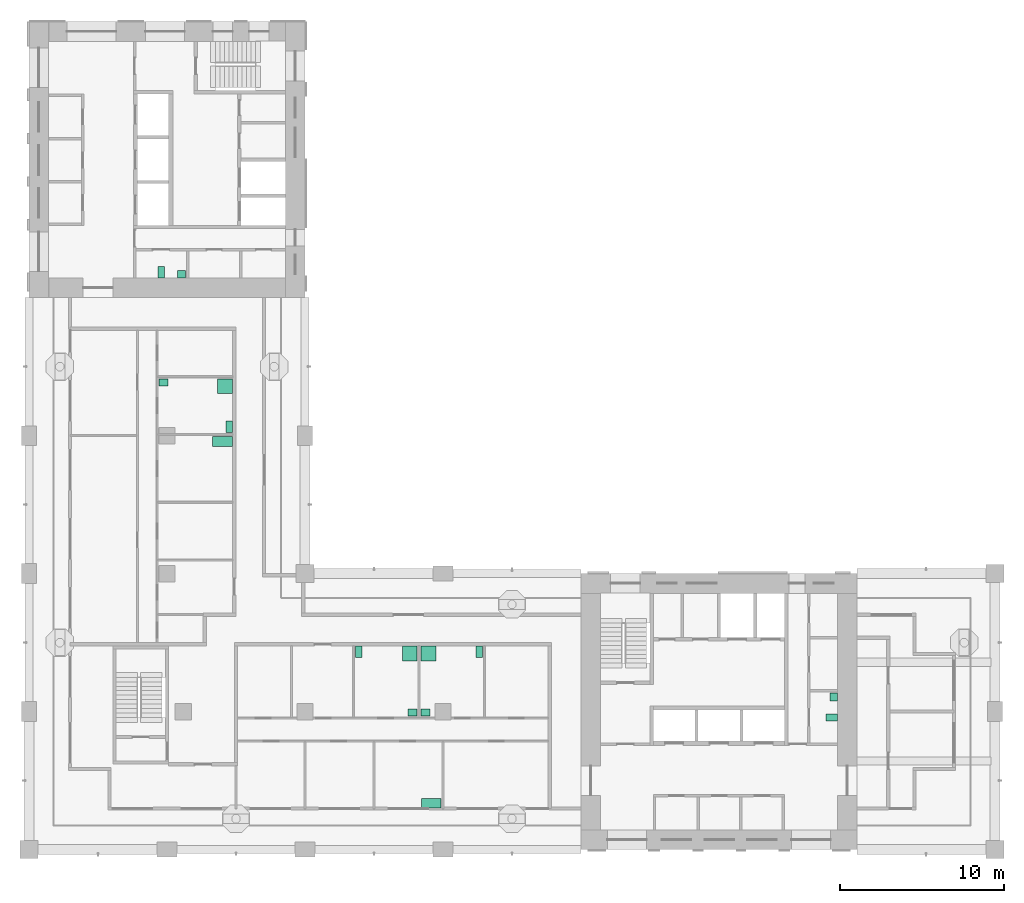
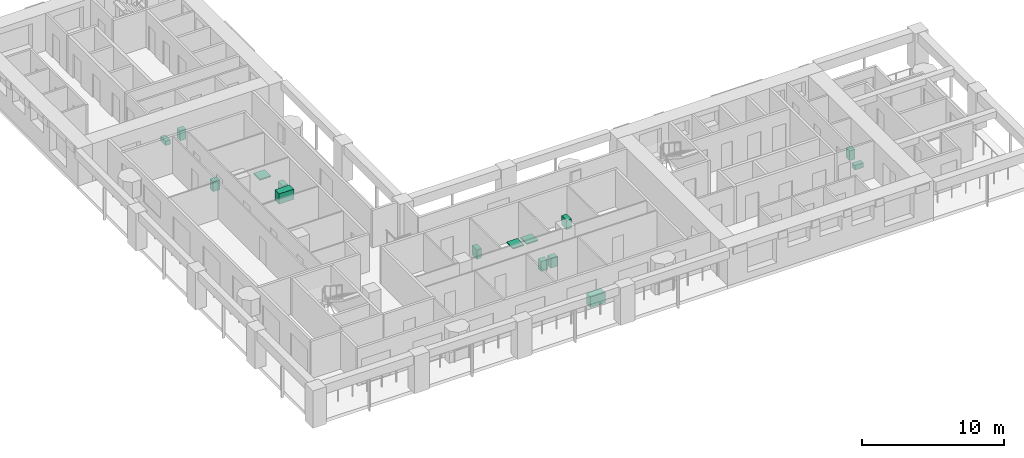
# One storey, part 11 of 13: 15 sanitary terminals.
"""IFC4 building model written with IfcOpenShell, lengths in metres."""

from ifc_helpers import new_model, si_unit, direction, frame, origin, origin_2d, place, context, subcontext, project, spatial, rectangle, extrude, material, element, save


model = new_model("IFC4")

# Units and contexts
model_context = context("Model", 3, precision=1e-05, world=origin(), true_north=direction((0.0, 1.0)))
body_context = subcontext(model_context, "Body", "Model", "MODEL_VIEW")
ifc_project = project(units=[si_unit("LENGTHUNIT", "METRE"), si_unit("AREAUNIT", "SQUARE_METRE"), si_unit("VOLUMEUNIT", "CUBIC_METRE"), si_unit("PLANEANGLEUNIT", "RADIAN"), si_unit("MASSUNIT", "GRAM", prefix="KILO")], contexts=[model_context])

# Site, building, storey
site_placement = place(None, origin())
site = spatial("IfcSite", under=ifc_project, at=site_placement, CompositionType="ELEMENT")
building_placement = place(site_placement, origin())
building = spatial("IfcBuilding", under=site, at=building_placement, Name="Vermilion Gate Residences", CompositionType="ELEMENT")
storey_placement = place(building_placement, frame((0.0, 0.0, 193.199951171875)))
storey = spatial("IfcBuildingStorey", under=building, at=storey_placement, Name="L50", CompositionType="ELEMENT", Elevation=193.199951171875)

# Sanitary terminals
ifc_material_1 = material(Name="Vitreous china")
sanitary_terminal_1_placement = place(storey_placement, frame((57.25, 16.43994140625, 0.0), z_axis=(0.0, 0.0, 1.0), x_axis=(1.0, 0.0, 0.0)))
element("IfcSanitaryTerminal", 1, at=sanitary_terminal_1_placement, inside=storey, material=ifc_material_1, Name="Toilet pan A50", PredefinedType="TOILETPAN", context=body_context, shape_type="SweptSolid", body=[
    extrude(rectangle(XDim=0.699951171875, YDim=0.39990234375, at=origin_2d()), origin(), (0.0, 0.0, 1.0), 0.39990234375),
])
sanitary_terminal_2_placement = place(storey_placement, frame((57.375, 17.679931640625, 0.0), z_axis=(0.0, 0.0, 1.0), x_axis=(1.0, 0.0, 0.0)))
element("IfcSanitaryTerminal", 2, at=sanitary_terminal_2_placement, inside=storey, material=ifc_material_1, Name="Washbasin A50", PredefinedType="WASHHANDBASIN", context=body_context, shape_type="SweptSolid", body=[
    extrude(rectangle(XDim=0.449951171875, YDim=0.5, at=origin_2d()), origin(), (0.0, 0.0, 1.0), 0.85009765625),
])
sanitary_terminal_3_placement = place(storey_placement, frame((16.43994140625, 43.550048828125, 0.0), z_axis=(0.0, 0.0, 1.0), x_axis=(1.0, 0.0, 0.0)))
element("IfcSanitaryTerminal", 3, at=sanitary_terminal_3_placement, inside=storey, material=ifc_material_1, Name="Toilet pan B50", PredefinedType="TOILETPAN", context=body_context, shape_type="SweptSolid", body=[
    extrude(rectangle(XDim=0.39990234375, YDim=0.699951171875, at=origin_2d()), origin(), (0.0, 0.0, 1.0), 0.39990234375),
])
sanitary_terminal_4_placement = place(storey_placement, frame((17.679931640625, 43.425048828125, 0.0), z_axis=(0.0, 0.0, 1.0), x_axis=(1.0, 0.0, 0.0)))
element("IfcSanitaryTerminal", 4, at=sanitary_terminal_4_placement, inside=storey, material=ifc_material_1, Name="Washbasin B50", PredefinedType="WASHHANDBASIN", context=body_context, shape_type="SweptSolid", body=[
    extrude(rectangle(XDim=0.5, YDim=0.449951171875, at=origin_2d()), origin(), (0.0, 0.0, 1.0), 0.85009765625),
])
ifc_material_2 = material(Name="Stainless steel", Category="steel")
sanitary_terminal_5_placement = place(storey_placement, frame((32.8798828125, 11.219970703125, 0.0), z_axis=(0.0, 0.0, 1.0), x_axis=(1.0, 0.0, 0.0)))
element("IfcSanitaryTerminal", 5, at=sanitary_terminal_5_placement, inside=storey, material=ifc_material_2, Name="Kitchen sink", PredefinedType="SINK", context=body_context, shape_type="SweptSolid", body=[
    extrude(rectangle(XDim=1.199951171875, YDim=0.60009765625, at=origin_2d()), origin(), (0.0, 0.0, 1.0), 0.89990234375),
])
sanitary_terminal_6_placement = place(storey_placement, frame((31.570068359375, 20.330078125, 0.0), z_axis=(0.0, 0.0, 1.0), x_axis=(1.0, 0.0, 0.0)))
element("IfcSanitaryTerminal", 6, at=sanitary_terminal_6_placement, inside=storey, material=ifc_material_1, Name="Shower tray", PredefinedType="SHOWER", context=body_context, shape_type="SweptSolid", body=[
    extrude(rectangle(XDim=0.89990234375, YDim=0.89990234375, at=origin_2d()), origin(), (0.0, 0.0, 1.0), 0.10009765625),
])
sanitary_terminal_7_placement = place(storey_placement, frame((28.47998046875, 20.429931640625, 0.0), z_axis=(0.0, 0.0, 1.0), x_axis=(1.0, 0.0, 0.0)))
element("IfcSanitaryTerminal", 7, at=sanitary_terminal_7_placement, inside=storey, material=ifc_material_1, Name="Toilet", PredefinedType="TOILETPAN", context=body_context, shape_type="SweptSolid", body=[
    extrude(rectangle(XDim=0.39990234375, YDim=0.699951171875, at=origin_2d()), origin(), (0.0, 0.0, 1.0), 0.800048828125),
])
sanitary_terminal_8_placement = place(storey_placement, frame((31.7451171875, 16.7451171875, 0.0), z_axis=(0.0, 0.0, 1.0), x_axis=(1.0, 0.0, 0.0)))
element("IfcSanitaryTerminal", 8, at=sanitary_terminal_8_placement, inside=storey, material=ifc_material_1, Name="Wash basin", PredefinedType="WASHHANDBASIN", context=body_context, shape_type="SweptSolid", body=[
    extrude(rectangle(XDim=0.550048828125, YDim=0.449951171875, at=origin_2d()), origin(), (0.0, 0.0, 1.0), 0.85009765625),
])
sanitary_terminal_9_placement = place(storey_placement, frame((32.7099609375, 20.330078125, 0.0), z_axis=(0.0, 0.0, 1.0), x_axis=(1.0, 0.0, 0.0)))
element("IfcSanitaryTerminal", 9, at=sanitary_terminal_9_placement, inside=storey, material=ifc_material_1, Name="Shower tray", PredefinedType="SHOWER", context=body_context, shape_type="SweptSolid", body=[
    extrude(rectangle(XDim=0.89990234375, YDim=0.89990234375, at=origin_2d()), origin(), (0.0, 0.0, 1.0), 0.10009765625),
])
sanitary_terminal_10_placement = place(storey_placement, frame((35.800048828125, 20.429931640625, 0.0), z_axis=(0.0, 0.0, 1.0), x_axis=(1.0, 0.0, 0.0)))
element("IfcSanitaryTerminal", 10, at=sanitary_terminal_10_placement, inside=storey, material=ifc_material_1, Name="Toilet", PredefinedType="TOILETPAN", context=body_context, shape_type="SweptSolid", body=[
    extrude(rectangle(XDim=0.39990234375, YDim=0.699951171875, at=origin_2d()), origin(), (0.0, 0.0, 1.0), 0.800048828125),
])
sanitary_terminal_11_placement = place(storey_placement, frame((32.534912109375, 16.7451171875, 0.0), z_axis=(0.0, 0.0, 1.0), x_axis=(1.0, 0.0, 0.0)))
element("IfcSanitaryTerminal", 11, at=sanitary_terminal_11_placement, inside=storey, material=ifc_material_1, Name="Wash basin", PredefinedType="WASHHANDBASIN", context=body_context, shape_type="SweptSolid", body=[
    extrude(rectangle(XDim=0.550048828125, YDim=0.449951171875, at=origin_2d()), origin(), (0.0, 0.0, 1.0), 0.85009765625),
])
sanitary_terminal_12_placement = place(storey_placement, frame((20.179931640625, 33.239990234375, 0.0), z_axis=(0.0, 0.0, 1.0), x_axis=(1.0, 0.0, 0.0)))
element("IfcSanitaryTerminal", 12, at=sanitary_terminal_12_placement, inside=storey, material=ifc_material_2, Name="Kitchen sink", PredefinedType="SINK", context=body_context, shape_type="SweptSolid", body=[
    extrude(rectangle(XDim=1.199951171875, YDim=0.60009765625, at=origin_2d()), origin(), (0.0, 0.0, 1.0), 0.89990234375),
])
sanitary_terminal_13_placement = place(storey_placement, frame((20.330078125, 36.610107421875, 0.0), z_axis=(0.0, 0.0, 1.0), x_axis=(1.0, 0.0, 0.0)))
element("IfcSanitaryTerminal", 13, at=sanitary_terminal_13_placement, inside=storey, material=ifc_material_1, Name="Shower tray", PredefinedType="SHOWER", context=body_context, shape_type="SweptSolid", body=[
    extrude(rectangle(XDim=0.89990234375, YDim=0.89990234375, at=origin_2d()), origin(), (0.0, 0.0, 1.0), 0.10009765625),
])
sanitary_terminal_14_placement = place(storey_placement, frame((20.580078125, 34.1298828125, 0.0), z_axis=(0.0, 0.0, 1.0), x_axis=(1.0, 0.0, 0.0)))
element("IfcSanitaryTerminal", 14, at=sanitary_terminal_14_placement, inside=storey, material=ifc_material_1, Name="Toilet", PredefinedType="TOILETPAN", context=body_context, shape_type="SweptSolid", body=[
    extrude(rectangle(XDim=0.39990234375, YDim=0.699951171875, at=origin_2d()), origin(), (0.0, 0.0, 1.0), 0.800048828125),
])
sanitary_terminal_15_placement = place(storey_placement, frame((16.594970703125, 36.8349609375, 0.0), z_axis=(0.0, 0.0, 1.0), x_axis=(1.0, 0.0, 0.0)))
element("IfcSanitaryTerminal", 15, at=sanitary_terminal_15_placement, inside=storey, material=ifc_material_1, Name="Wash basin", PredefinedType="WASHHANDBASIN", context=body_context, shape_type="SweptSolid", body=[
    extrude(rectangle(XDim=0.550048828125, YDim=0.449951171875, at=origin_2d()), origin(), (0.0, 0.0, 1.0), 0.85009765625),
])

save(model, "model.ifc")
